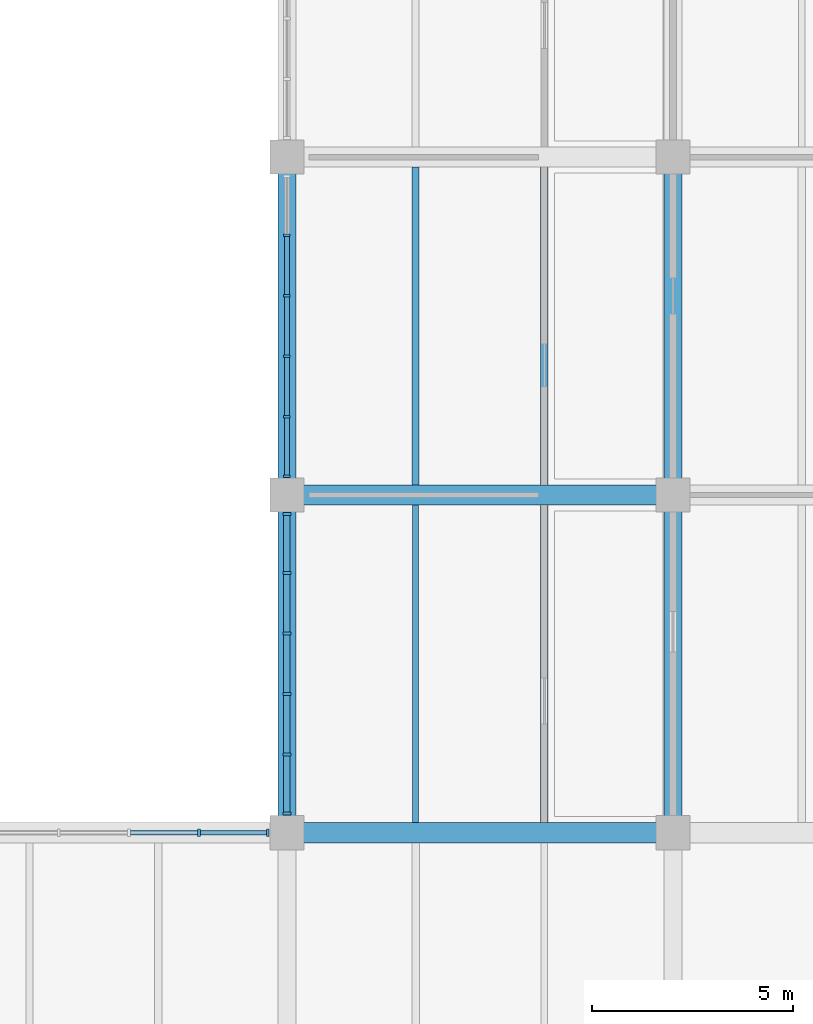
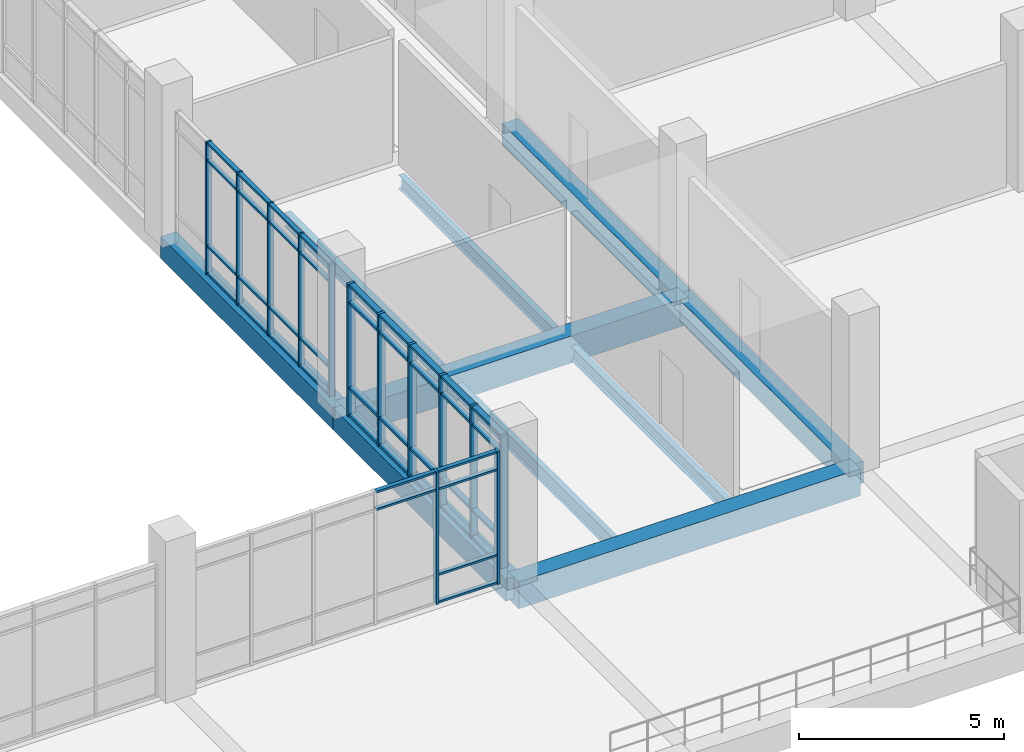
# One storey, part 23 of 152: 55 members, 10 beams, 3 elements without a shape of their own.
"""IFC4 building model written with IfcOpenShell, lengths in metres."""

import ifcopenshell
import ifcopenshell.guid

model = None  # the IFC model being written
_history = None  # IfcOwnerHistory: only IFC2X3 demands one
_inside = {}  # id of a spatial element -> (the spatial element, [elements in it])
_under = {}  # id of a project, library or spatial element -> (it, [spatial elements below it])
_declared = {}  # id of a project -> (the project, [libraries it declares])
_typed = {}  # id of a type object -> (the type object, [elements of that type])
_made_of = {}  # id of a material, layer set ... -> (it, [elements and type objects made of it])


def new_model(schema):
    """Start an empty IFC model of exactly this schema.

    Asked for "IFC4X3", IfcOpenShell would pick the latest addendum, in which some entities
    have other attributes; the version numbers below select the first issue.
    IFC2X3 requires an IfcOwnerHistory on every rooted entity: one is made here for all.
    """
    global model, _history
    if schema == "IFC4X3":
        model = ifcopenshell.file(schema_version=(4, 3, 0, 0))
    else:
        model = ifcopenshell.file(schema=schema)
    _inside.clear()
    _under.clear()
    _declared.clear()
    _typed.clear()
    _made_of.clear()
    _history = None
    if model.schema == "IFC2X3":
        org = make("IfcOrganization", Name="unknown")
        user = make(
            "IfcPersonAndOrganization",
            ThePerson=make("IfcPerson", FamilyName="unknown"),
            TheOrganization=org,
        )
        app = make(
            "IfcApplication",
            ApplicationDeveloper=org,
            Version="unknown",
            ApplicationFullName="unknown",
            ApplicationIdentifier="unknown",
        )
        _history = make(
            "IfcOwnerHistory",
            OwningUser=user,
            OwningApplication=app,
            ChangeAction="ADDED",
            CreationDate=0,
        )
    return model


def make(cls, **values):
    """One entity of the class cls with the attributes given. An attribute that is None is left unset."""
    return model.create_entity(
        cls, **{name: value for name, value in values.items() if value is not None}
    )


def rooted(cls, **values):
    """An entity with a GlobalId (a new one), such as an element, a storey or a relation."""
    return make(cls, GlobalId=ifcopenshell.guid.new(), OwnerHistory=_history, **values)


def si_unit(unit_type, name, prefix=None):
    """IfcSIUnit, for example si_unit("LENGTHUNIT", "METRE", prefix="MILLI")."""
    return make("IfcSIUnit", UnitType=unit_type, Prefix=prefix, Name=name)


def assignment(units):
    """IfcUnitAssignment: the units of a project."""
    return None if units is None else make("IfcUnitAssignment", Units=units)


def point(xyz):
    """IfcCartesianPoint."""
    return None if xyz is None else make("IfcCartesianPoint", Coordinates=xyz)


def direction(xyz):
    """IfcDirection."""
    return None if xyz is None else make("IfcDirection", DirectionRatios=xyz)


def frame(location, z_axis=None, x_axis=None):
    """IfcAxis2Placement3D, a coordinate frame: its origin and axes. An axis left out is left unset."""
    return make(
        "IfcAxis2Placement3D",
        Location=point(location),
        Axis=direction(z_axis),
        RefDirection=direction(x_axis),
    )


def frame_2d(location, x_axis=None):
    """IfcAxis2Placement2D, a coordinate frame in the plane: its origin and x axis."""
    return make(
        "IfcAxis2Placement2D", Location=point(location), RefDirection=direction(x_axis)
    )


def origin():
    """The frame at (0, 0, 0) with its axes left unset."""
    return frame((0.0, 0.0, 0.0))


def origin_2d():
    """The frame at (0, 0) in the plane with its x axis left unset."""
    return frame_2d((0.0, 0.0))


def place(relative_to, where):
    """IfcLocalPlacement: puts the frame where relative to a parent placement (None: the world)."""
    return make(
        "IfcLocalPlacement", PlacementRelTo=relative_to, RelativePlacement=where
    )


def context(
    kind, dimensions, precision=None, world=None, true_north=None, identifier=None
):
    """IfcGeometricRepresentationContext, for example the 3D "Model" context."""
    return make(
        "IfcGeometricRepresentationContext",
        ContextIdentifier=identifier,
        ContextType=kind,
        CoordinateSpaceDimension=dimensions,
        Precision=precision,
        WorldCoordinateSystem=world,
        TrueNorth=true_north,
    )


def subcontext(parent, identifier, kind, view, scale=None):
    """IfcGeometricRepresentationSubContext, for example "Body" below "Model"."""
    return make(
        "IfcGeometricRepresentationSubContext",
        ContextIdentifier=identifier,
        ContextType=kind,
        ParentContext=parent,
        TargetScale=scale,
        TargetView=view,
    )


def project(units=None, contexts=None):
    """IfcProject with its units and contexts."""
    return rooted(
        "IfcProject",
        Name="project",
        RepresentationContexts=contexts,
        UnitsInContext=assignment(units),
    )


def spatial(cls, under=None, at=None, **own):
    """A site, building, storey or space (cls), placed at a placement, below another one or the project."""
    s = rooted(cls, ObjectPlacement=at, **own)
    if under is not None:
        _under.setdefault(under.id(), (under, []))[1].append(s)
    return s


def profile(cls, at=None, kind="AREA", **sizes):
    """A parametric profile (cls). Its sizes go by their IFC names, for example OverallWidth=200.0."""
    return make(cls, ProfileType=kind, Position=at, **sizes)


def rectangle(**sizes):
    """IfcRectangleProfileDef."""
    return profile("IfcRectangleProfileDef", **sizes)


def i_section(**sizes):
    """IfcIShapeProfileDef."""
    return profile("IfcIShapeProfileDef", **sizes)


def extrude(swept, where, along, depth):
    """IfcExtrudedAreaSolid: the profile swept, set in the frame where, extruded along a direction by depth."""
    return make(
        "IfcExtrudedAreaSolid",
        SweptArea=swept,
        Position=where,
        ExtrudedDirection=direction(along),
        Depth=depth,
    )


def shape(context_of_items, identifier, shape_type, items):
    """IfcShapeRepresentation: the items that make up one representation, for example the "Body"."""
    return make(
        "IfcShapeRepresentation",
        ContextOfItems=context_of_items,
        RepresentationIdentifier=identifier,
        RepresentationType=shape_type,
        Items=items,
    )


def material(Name=None, Category=None):
    """IfcMaterial."""
    return make("IfcMaterial", Name=Name, Category=Category)


def material_profile(
    of_material, cross_section, Name=None, Category=None, Priority=None
):
    """IfcMaterialProfile: a cross section and its material."""
    return make(
        "IfcMaterialProfile",
        Name=Name,
        Material=of_material,
        Profile=cross_section,
        Priority=Priority,
        Category=Category,
    )


def profile_set(profiles, Name=None, composite=None):
    """IfcMaterialProfileSet."""
    return make(
        "IfcMaterialProfileSet",
        Name=Name,
        MaterialProfiles=profiles,
        CompositeProfile=composite,
    )


def made_of(thing, what):
    """Note that an element or type object is made of a material, layer set ...; save() writes the relation."""
    if what is not None:
        _made_of.setdefault(what.id(), (what, []))[1].append(thing)
    return thing


def type_object(cls, material=None, **own):
    """A type object (cls), such as IfcWallType, which elements share."""
    return made_of(rooted(cls, **own), material)


def element(
    cls,
    number,
    at=None,
    inside=None,
    cuts=None,
    type_object=None,
    material=None,
    context=None,
    identifier="Body",
    shape_type=None,
    held_by="IfcProductDefinitionShape",
    body=None,
    shapes=None,
    **own,
):
    """One element of the class cls, such as IfcWall. Its Tag is "e" and its number.

    at: its placement. inside: the storey or other place that contains it. cuts: it is an
    opening in that element (IfcRelVoidsElement). A single representation is given by context,
    identifier, shape_type and body (its items); several are given by shapes. held_by: the class
    of the entity that holds the representations. save() writes the other relations.
    """
    e = rooted(cls, Tag="e%d" % number, ObjectPlacement=at, **own)
    if body is not None:
        shapes = [shape(context, identifier, shape_type, body)]
    if shapes is not None:
        e.Representation = make(held_by, Representations=shapes)
    if inside is not None:
        _inside.setdefault(inside.id(), (inside, []))[1].append(e)
    if cuts is not None:
        rooted(
            "IfcRelVoidsElement", RelatingBuildingElement=cuts, RelatedOpeningElement=e
        )
    if type_object is not None:
        _typed.setdefault(type_object.id(), (type_object, []))[1].append(e)
    return made_of(e, material)


def aggregate(whole, parts):
    """IfcRelAggregates: a whole, such as a stair, and the parts it consists of."""
    return rooted("IfcRelAggregates", RelatingObject=whole, RelatedObjects=parts)


def save(model, path):
    """Write the relations noted so far, then the file.

    IfcRelAggregates (storeys below a building ...), IfcRelContainedInSpatialStructure (elements
    in a storey), IfcRelDefinesByType, IfcRelAssociatesMaterial and IfcRelDeclares: one each for
    every whole, place, type object, material and project.
    """
    for whole, parts in _under.values():
        aggregate(whole, parts)
    for where, things in _inside.values():
        rooted(
            "IfcRelContainedInSpatialStructure",
            RelatedElements=things,
            RelatingStructure=where,
        )
    for kind, things in _typed.values():
        rooted("IfcRelDefinesByType", RelatedObjects=things, RelatingType=kind)
    for what, things in _made_of.values():
        rooted("IfcRelAssociatesMaterial", RelatedObjects=things, RelatingMaterial=what)
    for by, libraries in _declared.values():
        rooted("IfcRelDeclares", RelatingContext=by, RelatedDefinitions=libraries)
    model.write(path)


model = new_model("IFC4")

# Units and contexts
model_context = context("Model", 3, precision=1e-05, world=origin(), true_north=direction((0.0, 1.0)))
body_context = subcontext(model_context, "Body", "Model", "MODEL_VIEW")
ifc_project = project(units=[si_unit("LENGTHUNIT", "METRE"), si_unit("AREAUNIT", "SQUARE_METRE"), si_unit("VOLUMEUNIT", "CUBIC_METRE"), si_unit("PLANEANGLEUNIT", "RADIAN"), si_unit("MASSUNIT", "GRAM", prefix="KILO")], contexts=[model_context])

# Site, building, storey
site_placement = place(None, origin())
site = spatial("IfcSite", under=ifc_project, at=site_placement, CompositionType="ELEMENT")
building_placement = place(site_placement, origin())
building = spatial("IfcBuilding", under=site, at=building_placement, Name="Oolite Switchyard Hospital", CompositionType="ELEMENT")
storey_placement = place(building_placement, frame((0.0, 0.0, 5.10009765625)))
storey = spatial("IfcBuildingStorey", under=building, at=storey_placement, Name="L01", CompositionType="ELEMENT", Elevation=5.10009765625)

# Beams
ifc_material_1 = material(Name="Concrete C40/50", Category="concrete")
ifc_material_profile_1 = material_profile(ifc_material_1, rectangle(XDim=0.449951171875, YDim=0.64990234375, at=origin_2d()), Name="RCB450X650")
ifc_profile_set_1 = profile_set([ifc_material_profile_1], Name="Concrete C40/50")
beam_type_1 = type_object("IfcBeamType", Name="BM-RC450X650", PredefinedType="BEAM", material=ifc_profile_set_1)
for number, where, z_axis, x_axis, name in (
    (1, (115.199951171875, 33.60009765625, -0.3251953125), (0.0, 1.0, 0.0), (-1.0, 0.0, 0.0), "L01 Y-Girder 426"),
    (2, (115.199951171875, 42.0, -0.3251953125), (0.0, 1.0, 0.0), (-1.0, 0.0, 0.0), "L01 Y-Girder 427"),
    (3, (124.800048828125, 33.60009765625, -0.3251953125), (0.0, 1.0, 0.0), (-1.0, 0.0, 0.0), "L01 Y-Girder 435"),
    (4, (124.800048828125, 42.0, -0.3251953125), (0.0, 1.0, 0.0), (-1.0, 0.0, 0.0), "L01 Y-Girder 436"),
):
    element("IfcBeam", number, at=place(storey_placement, frame(where, z_axis=z_axis, x_axis=x_axis)), inside=storey, type_object=beam_type_1, Name=name, PredefinedType="BEAM", context=body_context, shape_type="SweptSolid", body=[
        extrude(rectangle(XDim=0.449951171875, YDim=0.64990234375, at=origin_2d()), origin(), (0.0, 0.0, 1.0), 8.39990234375),
    ])
ifc_material_profile_2 = material_profile(ifc_material_1, rectangle(XDim=0.5, YDim=0.800048828125, at=origin_2d()), Name="RCB500X800")
ifc_profile_set_2 = profile_set([ifc_material_profile_2], Name="Concrete C40/50")
beam_type_2 = type_object("IfcBeamType", Name="BM-RC500X800", PredefinedType="BEAM", material=ifc_profile_set_2)
for number, where, z_axis, x_axis, name in (
    (5, (115.199951171875, 33.60009765625, -0.400146484375), (1.0, 0.0, 0.0), (0.0, 1.0, 0.0), "L01 X-Girder 74"),
    (6, (115.199951171875, 42.0, -0.400146484375), (1.0, 0.0, 0.0), (0.0, 1.0, 0.0), "L01 X-Girder 90"),
):
    element("IfcBeam", number, at=place(storey_placement, frame(where, z_axis=z_axis, x_axis=x_axis)), inside=storey, type_object=beam_type_2, Name=name, PredefinedType="BEAM", context=body_context, shape_type="SweptSolid", body=[
        extrude(rectangle(XDim=0.5, YDim=0.800048828125, at=origin_2d()), origin(), (0.0, 0.0, 1.0), 9.60009765625),
    ])
ifc_material_2 = material(Name="Steel ASTM A992 Grade 50", Category="steel")
ifc_material_profile_3 = material_profile(ifc_material_2, i_section(OverallWidth=0.177978515625, OverallDepth=0.403076171875, WebThickness=0.008056640625, FlangeThickness=0.010986328125, at=origin_2d()), Name="W16X36")
ifc_profile_set_3 = profile_set([ifc_material_profile_3], Name="Steel ASTM A992 Grade 50")
beam_type_3 = type_object("IfcBeamType", Name="BM-W16X36", PredefinedType="JOIST", material=ifc_profile_set_3)
beam_1_placement = place(storey_placement, frame((121.60009765625, 42.25, -0.502197265625), z_axis=(0.0, 1.0, 0.0), x_axis=(-1.0, 0.0, 0.0)))
element("IfcBeam", 7, at=beam_1_placement, inside=storey, type_object=beam_type_3, Name="L01 Secondary Steel Joist 793", PredefinedType="JOIST", context=body_context, shape_type="SweptSolid", body=[
    extrude(i_section(OverallWidth=0.177978515625, OverallDepth=0.403076171875, WebThickness=0.008056640625, FlangeThickness=0.010986328125, at=origin_2d()), origin(), (0.0, 0.0, 1.0), 7.89990234375),
])
ifc_material_profile_4 = material_profile(ifc_material_2, i_section(OverallWidth=0.179931640625, OverallDepth=0.4130859375, WebThickness=0.010009765625, FlangeThickness=0.01611328125, at=origin_2d()), Name="W16X50")
ifc_profile_set_4 = profile_set([ifc_material_profile_4], Name="Steel ASTM A992 Grade 50")
beam_type_4 = type_object("IfcBeamType", Name="BM-W16X50", PredefinedType="JOIST", material=ifc_profile_set_4)
for number, where, z_axis, x_axis, name in (
    (8, (121.60009765625, 33.85009765625, -0.506103515625), (0.0, 1.0, 0.0), (-1.0, 0.0, 0.0), "L01 Secondary Steel Joist 791"),
    (9, (118.39990234375, 42.25, -0.506103515625), (0.0, 1.0, 0.0), (-1.0, 0.0, 0.0), "L01 Secondary Steel Joist 792"),
):
    element("IfcBeam", number, at=place(storey_placement, frame(where, z_axis=z_axis, x_axis=x_axis)), inside=storey, type_object=beam_type_4, Name=name, PredefinedType="JOIST", context=body_context, shape_type="SweptSolid", body=[
        extrude(i_section(OverallWidth=0.179931640625, OverallDepth=0.4130859375, WebThickness=0.010009765625, FlangeThickness=0.01611328125, at=origin_2d()), origin(), (0.0, 0.0, 1.0), 7.89990234375),
    ])
ifc_material_profile_5 = material_profile(ifc_material_2, i_section(OverallWidth=0.153076171875, OverallDepth=0.455078125, WebThickness=0.008056640625, FlangeThickness=0.012939453125, at=origin_2d()), Name="W18X40")
ifc_profile_set_5 = profile_set([ifc_material_profile_5], Name="Steel ASTM A992 Grade 50")
beam_type_5 = type_object("IfcBeamType", Name="BM-W18X40", PredefinedType="JOIST", material=ifc_profile_set_5)
beam_2_placement = place(storey_placement, frame((118.39990234375, 33.85009765625, -0.528076171875), z_axis=(0.0, 1.0, 0.0), x_axis=(-1.0, 0.0, 0.0)))
element("IfcBeam", 10, at=beam_2_placement, inside=storey, type_object=beam_type_5, Name="L01 Secondary Steel Joist 790", PredefinedType="JOIST", context=body_context, shape_type="SweptSolid", body=[
    extrude(i_section(OverallWidth=0.153076171875, OverallDepth=0.455078125, WebThickness=0.008056640625, FlangeThickness=0.012939453125, at=origin_2d()), origin(), (0.0, 0.0, 1.0), 7.89990234375),
])

# Curtain wall, members
ifc_material_3 = material(Name="Thermally broken aluminum frame with laminated impact glazing", Category="aluminium")
curtain_wall_type_1 = type_object("IfcCurtainWallType", Name="CW-UNIT-84X48", PredefinedType="USERDEFINED", material=ifc_material_3)
curtain_wall_1_placement = place(storey_placement, origin())
curtain_wall_1 = element("IfcCurtainWall", 11, at=curtain_wall_1_placement, inside=storey, type_object=curtain_wall_type_1, Name="L01 Unitised Curtain Wall 182", ObjectType="UNITISED", PredefinedType="USERDEFINED")
ifc_material_4 = material(Name="Aluminium 6063-T6", Category="aluminium")
ifc_material_profile_6 = material_profile(ifc_material_4, rectangle(XDim=0.159912109375, YDim=0.06005859375, at=origin_2d()), Name="CWM60X160")
ifc_profile_set_6 = profile_set([ifc_material_profile_6], Name="Aluminium 6063-T6")
member_type_1 = type_object("IfcMemberType", Name="CW-MUL-180", PredefinedType="MULLION", material=ifc_profile_set_6)
member_1_placement = place(storey_placement, frame((115.199951171875, 42.469970703125, 0.0), z_axis=(0.0, 0.0, 1.0), x_axis=(-1.0, 0.0, 0.0)))
member_1 = element("IfcMember", 12, at=member_1_placement, type_object=member_type_1, Name="CW-07 mullion 1", PredefinedType="MULLION", context=body_context, shape_type="SweptSolid", body=[
    extrude(rectangle(XDim=0.159912109375, YDim=0.06005859375, at=origin_2d()), origin(), (0.0, 0.0, 1.0), 3.93994140625),
])
member_2_placement = place(storey_placement, frame((115.199951171875, 43.944091796875, 0.0), z_axis=(0.0, 0.0, 1.0), x_axis=(-1.0, 0.0, 0.0)))
member_2 = element("IfcMember", 13, at=member_2_placement, type_object=member_type_1, Name="CW-07 mullion 2", PredefinedType="MULLION", context=body_context, shape_type="SweptSolid", body=[
    extrude(rectangle(XDim=0.159912109375, YDim=0.06005859375, at=origin_2d()), origin(), (0.0, 0.0, 1.0), 3.93994140625),
])
member_3_placement = place(storey_placement, frame((115.199951171875, 45.447998046875, 0.0), z_axis=(0.0, 0.0, 1.0), x_axis=(-1.0, 0.0, 0.0)))
member_3 = element("IfcMember", 14, at=member_3_placement, type_object=member_type_1, Name="CW-07 mullion 3", PredefinedType="MULLION", context=body_context, shape_type="SweptSolid", body=[
    extrude(rectangle(XDim=0.159912109375, YDim=0.06005859375, at=origin_2d()), origin(), (0.0, 0.0, 1.0), 3.93994140625),
])
member_4_placement = place(storey_placement, frame((115.199951171875, 46.951904296875, 0.0), z_axis=(0.0, 0.0, 1.0), x_axis=(-1.0, 0.0, 0.0)))
member_4 = element("IfcMember", 15, at=member_4_placement, type_object=member_type_1, Name="CW-07 mullion 4", PredefinedType="MULLION", context=body_context, shape_type="SweptSolid", body=[
    extrude(rectangle(XDim=0.159912109375, YDim=0.06005859375, at=origin_2d()), origin(), (0.0, 0.0, 1.0), 3.93994140625),
])
member_5_placement = place(storey_placement, frame((115.199951171875, 48.4560546875, 0.0), z_axis=(0.0, 0.0, 1.0), x_axis=(-1.0, 0.0, 0.0)))
member_5 = element("IfcMember", 16, at=member_5_placement, type_object=member_type_1, Name="CW-07 mullion 5", PredefinedType="MULLION", context=body_context, shape_type="SweptSolid", body=[
    extrude(rectangle(XDim=0.159912109375, YDim=0.06005859375, at=origin_2d()), origin(), (0.0, 0.0, 1.0), 3.93994140625),
])

curtain_wall_type_2 = type_object("IfcCurtainWallType", Name="CW-UNIT-96X48", PredefinedType="USERDEFINED", material=ifc_material_3)
curtain_wall_2_placement = place(storey_placement, origin())
curtain_wall_2 = element("IfcCurtainWall", 17, at=curtain_wall_2_placement, inside=storey, type_object=curtain_wall_type_2, Name="L01 Unitised Curtain Wall 114", ObjectType="UNITISED", PredefinedType="USERDEFINED")
ifc_material_profile_7 = material_profile(ifc_material_4, rectangle(XDim=0.179931640625, YDim=0.070068359375, at=origin_2d()), Name="CWM70X180")
ifc_profile_set_7 = profile_set([ifc_material_profile_7], Name="Aluminium 6063-T6")
member_type_2 = type_object("IfcMemberType", Name="CW-MUL-220", PredefinedType="MULLION", material=ifc_profile_set_7)
member_6_placement = place(storey_placement, frame((113.01611328125, 33.60009765625, 0.0), z_axis=(0.0, 0.0, 1.0), x_axis=(0.0, 1.0, 0.0)))
member_6 = element("IfcMember", 18, at=member_6_placement, type_object=member_type_2, Name="CW-02 mullion 5", PredefinedType="MULLION", context=body_context, shape_type="SweptSolid", body=[
    extrude(rectangle(XDim=0.179931640625, YDim=0.070068359375, at=origin_2d()), origin(), (0.0, 0.0, 1.0), 3.93994140625),
])
member_7_placement = place(storey_placement, frame((114.72509765625, 33.60009765625, 0.0), z_axis=(0.0, 0.0, 1.0), x_axis=(0.0, 1.0, 0.0)))
member_7 = element("IfcMember", 19, at=member_7_placement, type_object=member_type_2, Name="CW-02 mullion 6", PredefinedType="MULLION", context=body_context, shape_type="SweptSolid", body=[
    extrude(rectangle(XDim=0.179931640625, YDim=0.070068359375, at=origin_2d()), origin(), (0.0, 0.0, 1.0), 3.93994140625),
])

curtain_wall_3_placement = place(storey_placement, origin())
curtain_wall_3 = element("IfcCurtainWall", 20, at=curtain_wall_3_placement, inside=storey, type_object=curtain_wall_type_1, Name="L01 Unitised Curtain Wall 181", ObjectType="UNITISED", PredefinedType="USERDEFINED")
ifc_material_profile_8 = material_profile(ifc_material_4, rectangle(XDim=0.199951171875, YDim=0.074951171875, at=origin_2d()), Name="CWM75X200")
ifc_profile_set_8 = profile_set([ifc_material_profile_8], Name="Aluminium 6063-T6")
member_type_3 = type_object("IfcMemberType", Name="CW-MUL-260", PredefinedType="MULLION", material=ifc_profile_set_8)
member_8_placement = place(storey_placement, frame((115.199951171875, 34.077392578125, 0.0), z_axis=(0.0, 0.0, 1.0), x_axis=(-1.0, 0.0, 0.0)))
member_8 = element("IfcMember", 21, at=member_8_placement, type_object=member_type_3, Name="CW-07 mullion 1", PredefinedType="MULLION", context=body_context, shape_type="SweptSolid", body=[
    extrude(rectangle(XDim=0.199951171875, YDim=0.074951171875, at=origin_2d()), origin(), (0.0, 0.0, 1.0), 3.93994140625),
])
member_9_placement = place(storey_placement, frame((115.199951171875, 35.5439453125, 0.0), z_axis=(0.0, 0.0, 1.0), x_axis=(-1.0, 0.0, 0.0)))
member_9 = element("IfcMember", 22, at=member_9_placement, type_object=member_type_3, Name="CW-07 mullion 2", PredefinedType="MULLION", context=body_context, shape_type="SweptSolid", body=[
    extrude(rectangle(XDim=0.199951171875, YDim=0.074951171875, at=origin_2d()), origin(), (0.0, 0.0, 1.0), 3.93994140625),
])
member_10_placement = place(storey_placement, frame((115.199951171875, 37.048095703125, 0.0), z_axis=(0.0, 0.0, 1.0), x_axis=(-1.0, 0.0, 0.0)))
member_10 = element("IfcMember", 23, at=member_10_placement, type_object=member_type_3, Name="CW-07 mullion 3", PredefinedType="MULLION", context=body_context, shape_type="SweptSolid", body=[
    extrude(rectangle(XDim=0.199951171875, YDim=0.074951171875, at=origin_2d()), origin(), (0.0, 0.0, 1.0), 3.93994140625),
])
member_11_placement = place(storey_placement, frame((115.199951171875, 38.552001953125, 0.0), z_axis=(0.0, 0.0, 1.0), x_axis=(-1.0, 0.0, 0.0)))
member_11 = element("IfcMember", 24, at=member_11_placement, type_object=member_type_3, Name="CW-07 mullion 4", PredefinedType="MULLION", context=body_context, shape_type="SweptSolid", body=[
    extrude(rectangle(XDim=0.199951171875, YDim=0.074951171875, at=origin_2d()), origin(), (0.0, 0.0, 1.0), 3.93994140625),
])
member_12_placement = place(storey_placement, frame((115.199951171875, 40.055908203125, 0.0), z_axis=(0.0, 0.0, 1.0), x_axis=(-1.0, 0.0, 0.0)))
member_12 = element("IfcMember", 25, at=member_12_placement, type_object=member_type_3, Name="CW-07 mullion 5", PredefinedType="MULLION", context=body_context, shape_type="SweptSolid", body=[
    extrude(rectangle(XDim=0.199951171875, YDim=0.074951171875, at=origin_2d()), origin(), (0.0, 0.0, 1.0), 3.93994140625),
])
member_13_placement = place(storey_placement, frame((115.199951171875, 41.5224609375, 0.0), z_axis=(0.0, 0.0, 1.0), x_axis=(-1.0, 0.0, 0.0)))
member_13 = element("IfcMember", 26, at=member_13_placement, type_object=member_type_3, Name="CW-07 mullion 6", PredefinedType="MULLION", context=body_context, shape_type="SweptSolid", body=[
    extrude(rectangle(XDim=0.199951171875, YDim=0.074951171875, at=origin_2d()), origin(), (0.0, 0.0, 1.0), 3.93994140625),
])

# Member
ifc_material_profile_9 = material_profile(ifc_material_4, rectangle(XDim=0.1201171875, YDim=0.06005859375, at=origin_2d()), Name="CWT60X120")
ifc_profile_set_9 = profile_set([ifc_material_profile_9], Name="Aluminium 6063-T6")
member_type_4 = type_object("IfcMemberType", Name="CW-TRN-150", PredefinedType="USERDEFINED", material=ifc_profile_set_9)
member_14_placement = place(storey_placement, frame((111.306884765625, 33.60009765625, 3.389892578125), z_axis=(1.0, 0.0, 0.0), x_axis=(0.0, 1.0, 0.0)))
member_14 = element("IfcMember", 27, at=member_14_placement, type_object=member_type_4, Name="CW-02 transom 4.3", ObjectType="TRANSOM", PredefinedType="USERDEFINED", context=body_context, shape_type="SweptSolid", body=[
    extrude(rectangle(XDim=0.1201171875, YDim=0.06005859375, at=origin_2d()), origin(), (0.0, 0.0, 1.0), 1.674072265625),
])

member_15_placement = place(storey_placement, frame((111.306884765625, 33.60009765625, 3.909912109375), z_axis=(1.0, 0.0, 0.0), x_axis=(0.0, 1.0, 0.0)))
member_15 = element("IfcMember", 28, at=member_15_placement, type_object=member_type_4, Name="CW-02 transom 4.4", ObjectType="TRANSOM", PredefinedType="USERDEFINED", context=body_context, shape_type="SweptSolid", body=[
    extrude(rectangle(XDim=0.1201171875, YDim=0.06005859375, at=origin_2d()), origin(), (0.0, 0.0, 1.0), 1.674072265625),
])

member_16_placement = place(storey_placement, frame((113.051025390625, 33.60009765625, 0.02978515625), z_axis=(1.0, 0.0, 0.0), x_axis=(0.0, 1.0, 0.0)))
member_16 = element("IfcMember", 29, at=member_16_placement, type_object=member_type_4, Name="CW-02 transom 5.1", ObjectType="TRANSOM", PredefinedType="USERDEFINED", context=body_context, shape_type="SweptSolid", body=[
    extrude(rectangle(XDim=0.1201171875, YDim=0.06005859375, at=origin_2d()), origin(), (0.0, 0.0, 1.0), 1.638916015625),
])

member_17_placement = place(storey_placement, frame((113.051025390625, 33.60009765625, 0.849853515625), z_axis=(1.0, 0.0, 0.0), x_axis=(0.0, 1.0, 0.0)))
member_17 = element("IfcMember", 30, at=member_17_placement, type_object=member_type_4, Name="CW-02 transom 5.2", ObjectType="TRANSOM", PredefinedType="USERDEFINED", context=body_context, shape_type="SweptSolid", body=[
    extrude(rectangle(XDim=0.1201171875, YDim=0.06005859375, at=origin_2d()), origin(), (0.0, 0.0, 1.0), 1.638916015625),
])

member_18_placement = place(storey_placement, frame((113.051025390625, 33.60009765625, 3.389892578125), z_axis=(1.0, 0.0, 0.0), x_axis=(0.0, 1.0, 0.0)))
member_18 = element("IfcMember", 31, at=member_18_placement, type_object=member_type_4, Name="CW-02 transom 5.3", ObjectType="TRANSOM", PredefinedType="USERDEFINED", context=body_context, shape_type="SweptSolid", body=[
    extrude(rectangle(XDim=0.1201171875, YDim=0.06005859375, at=origin_2d()), origin(), (0.0, 0.0, 1.0), 1.638916015625),
])

member_19_placement = place(storey_placement, frame((113.051025390625, 33.60009765625, 3.909912109375), z_axis=(1.0, 0.0, 0.0), x_axis=(0.0, 1.0, 0.0)))
member_19 = element("IfcMember", 32, at=member_19_placement, type_object=member_type_4, Name="CW-02 transom 5.4", ObjectType="TRANSOM", PredefinedType="USERDEFINED", context=body_context, shape_type="SweptSolid", body=[
    extrude(rectangle(XDim=0.1201171875, YDim=0.06005859375, at=origin_2d()), origin(), (0.0, 0.0, 1.0), 1.638916015625),
])

aggregate(curtain_wall_2, [member_6, member_7, member_14, member_15, member_16, member_17, member_18, member_19])

member_20_placement = place(storey_placement, frame((115.199951171875, 42.5, 0.02978515625), z_axis=(0.0, 1.0, 0.0), x_axis=(-1.0, 0.0, 0.0)))
member_20 = element("IfcMember", 33, at=member_20_placement, type_object=member_type_4, Name="CW-07 transom 1.1", ObjectType="TRANSOM", PredefinedType="USERDEFINED", context=body_context, shape_type="SweptSolid", body=[
    extrude(rectangle(XDim=0.1201171875, YDim=0.06005859375, at=origin_2d()), origin(), (0.0, 0.0, 1.0), 1.4140625),
])

member_21_placement = place(storey_placement, frame((115.199951171875, 42.5, 0.849853515625), z_axis=(0.0, 1.0, 0.0), x_axis=(-1.0, 0.0, 0.0)))
member_21 = element("IfcMember", 34, at=member_21_placement, type_object=member_type_4, Name="CW-07 transom 1.2", ObjectType="TRANSOM", PredefinedType="USERDEFINED", context=body_context, shape_type="SweptSolid", body=[
    extrude(rectangle(XDim=0.1201171875, YDim=0.06005859375, at=origin_2d()), origin(), (0.0, 0.0, 1.0), 1.4140625),
])

member_22_placement = place(storey_placement, frame((115.199951171875, 42.5, 3.389892578125), z_axis=(0.0, 1.0, 0.0), x_axis=(-1.0, 0.0, 0.0)))
member_22 = element("IfcMember", 35, at=member_22_placement, type_object=member_type_4, Name="CW-07 transom 1.3", ObjectType="TRANSOM", PredefinedType="USERDEFINED", context=body_context, shape_type="SweptSolid", body=[
    extrude(rectangle(XDim=0.1201171875, YDim=0.06005859375, at=origin_2d()), origin(), (0.0, 0.0, 1.0), 1.4140625),
])

member_23_placement = place(storey_placement, frame((115.199951171875, 42.5, 3.909912109375), z_axis=(0.0, 1.0, 0.0), x_axis=(-1.0, 0.0, 0.0)))
member_23 = element("IfcMember", 36, at=member_23_placement, type_object=member_type_4, Name="CW-07 transom 1.4", ObjectType="TRANSOM", PredefinedType="USERDEFINED", context=body_context, shape_type="SweptSolid", body=[
    extrude(rectangle(XDim=0.1201171875, YDim=0.06005859375, at=origin_2d()), origin(), (0.0, 0.0, 1.0), 1.4140625),
])

member_24_placement = place(storey_placement, frame((115.199951171875, 43.97412109375, 0.02978515625), z_axis=(0.0, 1.0, 0.0), x_axis=(-1.0, 0.0, 0.0)))
member_24 = element("IfcMember", 37, at=member_24_placement, type_object=member_type_4, Name="CW-07 transom 2.1", ObjectType="TRANSOM", PredefinedType="USERDEFINED", context=body_context, shape_type="SweptSolid", body=[
    extrude(rectangle(XDim=0.1201171875, YDim=0.06005859375, at=origin_2d()), origin(), (0.0, 0.0, 1.0), 1.44384765625),
])

member_25_placement = place(storey_placement, frame((115.199951171875, 43.97412109375, 0.849853515625), z_axis=(0.0, 1.0, 0.0), x_axis=(-1.0, 0.0, 0.0)))
member_25 = element("IfcMember", 38, at=member_25_placement, type_object=member_type_4, Name="CW-07 transom 2.2", ObjectType="TRANSOM", PredefinedType="USERDEFINED", context=body_context, shape_type="SweptSolid", body=[
    extrude(rectangle(XDim=0.1201171875, YDim=0.06005859375, at=origin_2d()), origin(), (0.0, 0.0, 1.0), 1.44384765625),
])

member_26_placement = place(storey_placement, frame((115.199951171875, 43.97412109375, 3.389892578125), z_axis=(0.0, 1.0, 0.0), x_axis=(-1.0, 0.0, 0.0)))
member_26 = element("IfcMember", 39, at=member_26_placement, type_object=member_type_4, Name="CW-07 transom 2.3", ObjectType="TRANSOM", PredefinedType="USERDEFINED", context=body_context, shape_type="SweptSolid", body=[
    extrude(rectangle(XDim=0.1201171875, YDim=0.06005859375, at=origin_2d()), origin(), (0.0, 0.0, 1.0), 1.44384765625),
])

member_27_placement = place(storey_placement, frame((115.199951171875, 43.97412109375, 3.909912109375), z_axis=(0.0, 1.0, 0.0), x_axis=(-1.0, 0.0, 0.0)))
member_27 = element("IfcMember", 40, at=member_27_placement, type_object=member_type_4, Name="CW-07 transom 2.4", ObjectType="TRANSOM", PredefinedType="USERDEFINED", context=body_context, shape_type="SweptSolid", body=[
    extrude(rectangle(XDim=0.1201171875, YDim=0.06005859375, at=origin_2d()), origin(), (0.0, 0.0, 1.0), 1.44384765625),
])

member_28_placement = place(storey_placement, frame((115.199951171875, 45.47802734375, 0.02978515625), z_axis=(0.0, 1.0, 0.0), x_axis=(-1.0, 0.0, 0.0)))
member_28 = element("IfcMember", 41, at=member_28_placement, type_object=member_type_4, Name="CW-07 transom 3.1", ObjectType="TRANSOM", PredefinedType="USERDEFINED", context=body_context, shape_type="SweptSolid", body=[
    extrude(rectangle(XDim=0.1201171875, YDim=0.06005859375, at=origin_2d()), origin(), (0.0, 0.0, 1.0), 1.444091796875),
])

member_29_placement = place(storey_placement, frame((115.199951171875, 45.47802734375, 0.849853515625), z_axis=(0.0, 1.0, 0.0), x_axis=(-1.0, 0.0, 0.0)))
member_29 = element("IfcMember", 42, at=member_29_placement, type_object=member_type_4, Name="CW-07 transom 3.2", ObjectType="TRANSOM", PredefinedType="USERDEFINED", context=body_context, shape_type="SweptSolid", body=[
    extrude(rectangle(XDim=0.1201171875, YDim=0.06005859375, at=origin_2d()), origin(), (0.0, 0.0, 1.0), 1.444091796875),
])

member_30_placement = place(storey_placement, frame((115.199951171875, 45.47802734375, 3.389892578125), z_axis=(0.0, 1.0, 0.0), x_axis=(-1.0, 0.0, 0.0)))
member_30 = element("IfcMember", 43, at=member_30_placement, type_object=member_type_4, Name="CW-07 transom 3.3", ObjectType="TRANSOM", PredefinedType="USERDEFINED", context=body_context, shape_type="SweptSolid", body=[
    extrude(rectangle(XDim=0.1201171875, YDim=0.06005859375, at=origin_2d()), origin(), (0.0, 0.0, 1.0), 1.444091796875),
])

member_31_placement = place(storey_placement, frame((115.199951171875, 45.47802734375, 3.909912109375), z_axis=(0.0, 1.0, 0.0), x_axis=(-1.0, 0.0, 0.0)))
member_31 = element("IfcMember", 44, at=member_31_placement, type_object=member_type_4, Name="CW-07 transom 3.4", ObjectType="TRANSOM", PredefinedType="USERDEFINED", context=body_context, shape_type="SweptSolid", body=[
    extrude(rectangle(XDim=0.1201171875, YDim=0.06005859375, at=origin_2d()), origin(), (0.0, 0.0, 1.0), 1.444091796875),
])

member_32_placement = place(storey_placement, frame((115.199951171875, 46.98193359375, 0.02978515625), z_axis=(0.0, 1.0, 0.0), x_axis=(-1.0, 0.0, 0.0)))
member_32 = element("IfcMember", 45, at=member_32_placement, type_object=member_type_4, Name="CW-07 transom 4.1", ObjectType="TRANSOM", PredefinedType="USERDEFINED", context=body_context, shape_type="SweptSolid", body=[
    extrude(rectangle(XDim=0.1201171875, YDim=0.06005859375, at=origin_2d()), origin(), (0.0, 0.0, 1.0), 1.444091796875),
])

member_33_placement = place(storey_placement, frame((115.199951171875, 46.98193359375, 0.849853515625), z_axis=(0.0, 1.0, 0.0), x_axis=(-1.0, 0.0, 0.0)))
member_33 = element("IfcMember", 46, at=member_33_placement, type_object=member_type_4, Name="CW-07 transom 4.2", ObjectType="TRANSOM", PredefinedType="USERDEFINED", context=body_context, shape_type="SweptSolid", body=[
    extrude(rectangle(XDim=0.1201171875, YDim=0.06005859375, at=origin_2d()), origin(), (0.0, 0.0, 1.0), 1.444091796875),
])

member_34_placement = place(storey_placement, frame((115.199951171875, 46.98193359375, 3.389892578125), z_axis=(0.0, 1.0, 0.0), x_axis=(-1.0, 0.0, 0.0)))
member_34 = element("IfcMember", 47, at=member_34_placement, type_object=member_type_4, Name="CW-07 transom 4.3", ObjectType="TRANSOM", PredefinedType="USERDEFINED", context=body_context, shape_type="SweptSolid", body=[
    extrude(rectangle(XDim=0.1201171875, YDim=0.06005859375, at=origin_2d()), origin(), (0.0, 0.0, 1.0), 1.444091796875),
])

member_35_placement = place(storey_placement, frame((115.199951171875, 46.98193359375, 3.909912109375), z_axis=(0.0, 1.0, 0.0), x_axis=(-1.0, 0.0, 0.0)))
member_35 = element("IfcMember", 48, at=member_35_placement, type_object=member_type_4, Name="CW-07 transom 4.4", ObjectType="TRANSOM", PredefinedType="USERDEFINED", context=body_context, shape_type="SweptSolid", body=[
    extrude(rectangle(XDim=0.1201171875, YDim=0.06005859375, at=origin_2d()), origin(), (0.0, 0.0, 1.0), 1.444091796875),
])

aggregate(curtain_wall_1, [member_1, member_2, member_3, member_4, member_5, member_20, member_21, member_22, member_23, member_24, member_25, member_26, member_27, member_28, member_29, member_30, member_31, member_32, member_33, member_34, member_35])

ifc_material_profile_10 = material_profile(ifc_material_4, rectangle(XDim=0.159912109375, YDim=0.074951171875, at=origin_2d()), Name="CWT75X160")
ifc_profile_set_10 = profile_set([ifc_material_profile_10], Name="Aluminium 6063-T6")
member_type_5 = type_object("IfcMemberType", Name="CW-TRN-180", PredefinedType="USERDEFINED", material=ifc_profile_set_10)
member_36_placement = place(storey_placement, frame((115.199951171875, 34.114990234375, 0.037353515625), z_axis=(0.0, 1.0, 0.0), x_axis=(-1.0, 0.0, 0.0)))
member_36 = element("IfcMember", 49, at=member_36_placement, type_object=member_type_5, Name="CW-07 transom 1.1", ObjectType="TRANSOM", PredefinedType="USERDEFINED", context=body_context, shape_type="SweptSolid", body=[
    extrude(rectangle(XDim=0.159912109375, YDim=0.074951171875, at=origin_2d()), origin(), (0.0, 0.0, 1.0), 1.3916015625),
])

member_37_placement = place(storey_placement, frame((115.199951171875, 34.114990234375, 0.849853515625), z_axis=(0.0, 1.0, 0.0), x_axis=(-1.0, 0.0, 0.0)))
member_37 = element("IfcMember", 50, at=member_37_placement, type_object=member_type_5, Name="CW-07 transom 1.2", ObjectType="TRANSOM", PredefinedType="USERDEFINED", context=body_context, shape_type="SweptSolid", body=[
    extrude(rectangle(XDim=0.159912109375, YDim=0.074951171875, at=origin_2d()), origin(), (0.0, 0.0, 1.0), 1.3916015625),
])

member_38_placement = place(storey_placement, frame((115.199951171875, 34.114990234375, 3.389892578125), z_axis=(0.0, 1.0, 0.0), x_axis=(-1.0, 0.0, 0.0)))
member_38 = element("IfcMember", 51, at=member_38_placement, type_object=member_type_5, Name="CW-07 transom 1.3", ObjectType="TRANSOM", PredefinedType="USERDEFINED", context=body_context, shape_type="SweptSolid", body=[
    extrude(rectangle(XDim=0.159912109375, YDim=0.074951171875, at=origin_2d()), origin(), (0.0, 0.0, 1.0), 1.3916015625),
])

member_39_placement = place(storey_placement, frame((115.199951171875, 34.114990234375, 3.90234375), z_axis=(0.0, 1.0, 0.0), x_axis=(-1.0, 0.0, 0.0)))
member_39 = element("IfcMember", 52, at=member_39_placement, type_object=member_type_5, Name="CW-07 transom 1.4", ObjectType="TRANSOM", PredefinedType="USERDEFINED", context=body_context, shape_type="SweptSolid", body=[
    extrude(rectangle(XDim=0.159912109375, YDim=0.074951171875, at=origin_2d()), origin(), (0.0, 0.0, 1.0), 1.3916015625),
])

member_40_placement = place(storey_placement, frame((115.199951171875, 35.58154296875, 0.037353515625), z_axis=(0.0, 1.0, 0.0), x_axis=(-1.0, 0.0, 0.0)))
member_40 = element("IfcMember", 53, at=member_40_placement, type_object=member_type_5, Name="CW-07 transom 2.1", ObjectType="TRANSOM", PredefinedType="USERDEFINED", context=body_context, shape_type="SweptSolid", body=[
    extrude(rectangle(XDim=0.159912109375, YDim=0.074951171875, at=origin_2d()), origin(), (0.0, 0.0, 1.0), 1.428955078125),
])

member_41_placement = place(storey_placement, frame((115.199951171875, 35.58154296875, 0.849853515625), z_axis=(0.0, 1.0, 0.0), x_axis=(-1.0, 0.0, 0.0)))
member_41 = element("IfcMember", 54, at=member_41_placement, type_object=member_type_5, Name="CW-07 transom 2.2", ObjectType="TRANSOM", PredefinedType="USERDEFINED", context=body_context, shape_type="SweptSolid", body=[
    extrude(rectangle(XDim=0.159912109375, YDim=0.074951171875, at=origin_2d()), origin(), (0.0, 0.0, 1.0), 1.428955078125),
])

member_42_placement = place(storey_placement, frame((115.199951171875, 35.58154296875, 3.389892578125), z_axis=(0.0, 1.0, 0.0), x_axis=(-1.0, 0.0, 0.0)))
member_42 = element("IfcMember", 55, at=member_42_placement, type_object=member_type_5, Name="CW-07 transom 2.3", ObjectType="TRANSOM", PredefinedType="USERDEFINED", context=body_context, shape_type="SweptSolid", body=[
    extrude(rectangle(XDim=0.159912109375, YDim=0.074951171875, at=origin_2d()), origin(), (0.0, 0.0, 1.0), 1.428955078125),
])

member_43_placement = place(storey_placement, frame((115.199951171875, 35.58154296875, 3.90234375), z_axis=(0.0, 1.0, 0.0), x_axis=(-1.0, 0.0, 0.0)))
member_43 = element("IfcMember", 56, at=member_43_placement, type_object=member_type_5, Name="CW-07 transom 2.4", ObjectType="TRANSOM", PredefinedType="USERDEFINED", context=body_context, shape_type="SweptSolid", body=[
    extrude(rectangle(XDim=0.159912109375, YDim=0.074951171875, at=origin_2d()), origin(), (0.0, 0.0, 1.0), 1.428955078125),
])

member_44_placement = place(storey_placement, frame((115.199951171875, 37.08544921875, 0.037353515625), z_axis=(0.0, 1.0, 0.0), x_axis=(-1.0, 0.0, 0.0)))
member_44 = element("IfcMember", 57, at=member_44_placement, type_object=member_type_5, Name="CW-07 transom 3.1", ObjectType="TRANSOM", PredefinedType="USERDEFINED", context=body_context, shape_type="SweptSolid", body=[
    extrude(rectangle(XDim=0.159912109375, YDim=0.074951171875, at=origin_2d()), origin(), (0.0, 0.0, 1.0), 1.428955078125),
])

member_45_placement = place(storey_placement, frame((115.199951171875, 37.08544921875, 0.849853515625), z_axis=(0.0, 1.0, 0.0), x_axis=(-1.0, 0.0, 0.0)))
member_45 = element("IfcMember", 58, at=member_45_placement, type_object=member_type_5, Name="CW-07 transom 3.2", ObjectType="TRANSOM", PredefinedType="USERDEFINED", context=body_context, shape_type="SweptSolid", body=[
    extrude(rectangle(XDim=0.159912109375, YDim=0.074951171875, at=origin_2d()), origin(), (0.0, 0.0, 1.0), 1.428955078125),
])

member_46_placement = place(storey_placement, frame((115.199951171875, 37.08544921875, 3.389892578125), z_axis=(0.0, 1.0, 0.0), x_axis=(-1.0, 0.0, 0.0)))
member_46 = element("IfcMember", 59, at=member_46_placement, type_object=member_type_5, Name="CW-07 transom 3.3", ObjectType="TRANSOM", PredefinedType="USERDEFINED", context=body_context, shape_type="SweptSolid", body=[
    extrude(rectangle(XDim=0.159912109375, YDim=0.074951171875, at=origin_2d()), origin(), (0.0, 0.0, 1.0), 1.428955078125),
])

member_47_placement = place(storey_placement, frame((115.199951171875, 37.08544921875, 3.90234375), z_axis=(0.0, 1.0, 0.0), x_axis=(-1.0, 0.0, 0.0)))
member_47 = element("IfcMember", 60, at=member_47_placement, type_object=member_type_5, Name="CW-07 transom 3.4", ObjectType="TRANSOM", PredefinedType="USERDEFINED", context=body_context, shape_type="SweptSolid", body=[
    extrude(rectangle(XDim=0.159912109375, YDim=0.074951171875, at=origin_2d()), origin(), (0.0, 0.0, 1.0), 1.428955078125),
])

member_48_placement = place(storey_placement, frame((115.199951171875, 38.589599609375, 0.037353515625), z_axis=(0.0, 1.0, 0.0), x_axis=(-1.0, 0.0, 0.0)))
member_48 = element("IfcMember", 61, at=member_48_placement, type_object=member_type_5, Name="CW-07 transom 4.1", ObjectType="TRANSOM", PredefinedType="USERDEFINED", context=body_context, shape_type="SweptSolid", body=[
    extrude(rectangle(XDim=0.159912109375, YDim=0.074951171875, at=origin_2d()), origin(), (0.0, 0.0, 1.0), 1.428955078125),
])

member_49_placement = place(storey_placement, frame((115.199951171875, 38.589599609375, 0.849853515625), z_axis=(0.0, 1.0, 0.0), x_axis=(-1.0, 0.0, 0.0)))
member_49 = element("IfcMember", 62, at=member_49_placement, type_object=member_type_5, Name="CW-07 transom 4.2", ObjectType="TRANSOM", PredefinedType="USERDEFINED", context=body_context, shape_type="SweptSolid", body=[
    extrude(rectangle(XDim=0.159912109375, YDim=0.074951171875, at=origin_2d()), origin(), (0.0, 0.0, 1.0), 1.428955078125),
])

member_50_placement = place(storey_placement, frame((115.199951171875, 38.589599609375, 3.389892578125), z_axis=(0.0, 1.0, 0.0), x_axis=(-1.0, 0.0, 0.0)))
member_50 = element("IfcMember", 63, at=member_50_placement, type_object=member_type_5, Name="CW-07 transom 4.3", ObjectType="TRANSOM", PredefinedType="USERDEFINED", context=body_context, shape_type="SweptSolid", body=[
    extrude(rectangle(XDim=0.159912109375, YDim=0.074951171875, at=origin_2d()), origin(), (0.0, 0.0, 1.0), 1.428955078125),
])

member_51_placement = place(storey_placement, frame((115.199951171875, 38.589599609375, 3.90234375), z_axis=(0.0, 1.0, 0.0), x_axis=(-1.0, 0.0, 0.0)))
member_51 = element("IfcMember", 64, at=member_51_placement, type_object=member_type_5, Name="CW-07 transom 4.4", ObjectType="TRANSOM", PredefinedType="USERDEFINED", context=body_context, shape_type="SweptSolid", body=[
    extrude(rectangle(XDim=0.159912109375, YDim=0.074951171875, at=origin_2d()), origin(), (0.0, 0.0, 1.0), 1.428955078125),
])

member_52_placement = place(storey_placement, frame((115.199951171875, 40.093505859375, 0.037353515625), z_axis=(0.0, 1.0, 0.0), x_axis=(-1.0, 0.0, 0.0)))
member_52 = element("IfcMember", 65, at=member_52_placement, type_object=member_type_5, Name="CW-07 transom 5.1", ObjectType="TRANSOM", PredefinedType="USERDEFINED", context=body_context, shape_type="SweptSolid", body=[
    extrude(rectangle(XDim=0.159912109375, YDim=0.074951171875, at=origin_2d()), origin(), (0.0, 0.0, 1.0), 1.3916015625),
])

member_53_placement = place(storey_placement, frame((115.199951171875, 40.093505859375, 0.849853515625), z_axis=(0.0, 1.0, 0.0), x_axis=(-1.0, 0.0, 0.0)))
member_53 = element("IfcMember", 66, at=member_53_placement, type_object=member_type_5, Name="CW-07 transom 5.2", ObjectType="TRANSOM", PredefinedType="USERDEFINED", context=body_context, shape_type="SweptSolid", body=[
    extrude(rectangle(XDim=0.159912109375, YDim=0.074951171875, at=origin_2d()), origin(), (0.0, 0.0, 1.0), 1.3916015625),
])

member_54_placement = place(storey_placement, frame((115.199951171875, 40.093505859375, 3.389892578125), z_axis=(0.0, 1.0, 0.0), x_axis=(-1.0, 0.0, 0.0)))
member_54 = element("IfcMember", 67, at=member_54_placement, type_object=member_type_5, Name="CW-07 transom 5.3", ObjectType="TRANSOM", PredefinedType="USERDEFINED", context=body_context, shape_type="SweptSolid", body=[
    extrude(rectangle(XDim=0.159912109375, YDim=0.074951171875, at=origin_2d()), origin(), (0.0, 0.0, 1.0), 1.3916015625),
])

member_55_placement = place(storey_placement, frame((115.199951171875, 40.093505859375, 3.90234375), z_axis=(0.0, 1.0, 0.0), x_axis=(-1.0, 0.0, 0.0)))
member_55 = element("IfcMember", 68, at=member_55_placement, type_object=member_type_5, Name="CW-07 transom 5.4", ObjectType="TRANSOM", PredefinedType="USERDEFINED", context=body_context, shape_type="SweptSolid", body=[
    extrude(rectangle(XDim=0.159912109375, YDim=0.074951171875, at=origin_2d()), origin(), (0.0, 0.0, 1.0), 1.3916015625),
])

aggregate(curtain_wall_3, [member_8, member_9, member_10, member_11, member_12, member_13, member_36, member_37, member_38, member_39, member_40, member_41, member_42, member_43, member_44, member_45, member_46, member_47, member_48, member_49, member_50, member_51, member_52, member_53, member_54, member_55])

save(model, "model.ifc")
